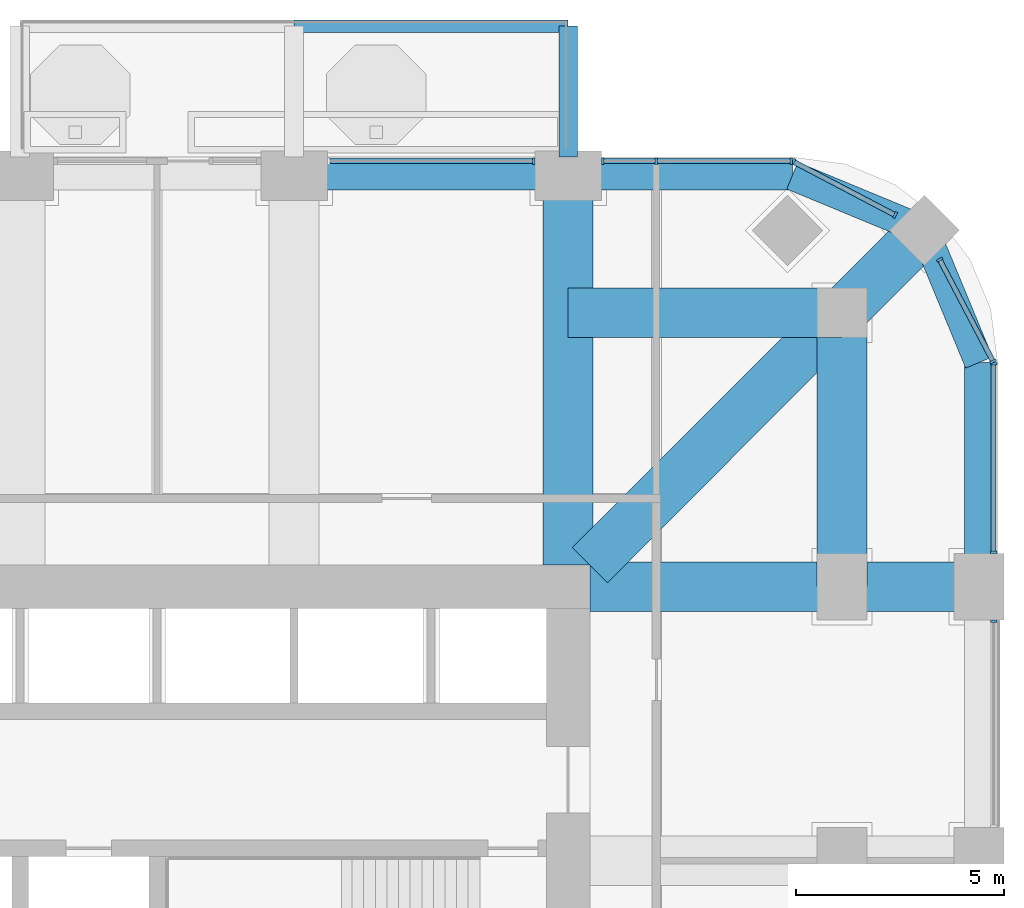
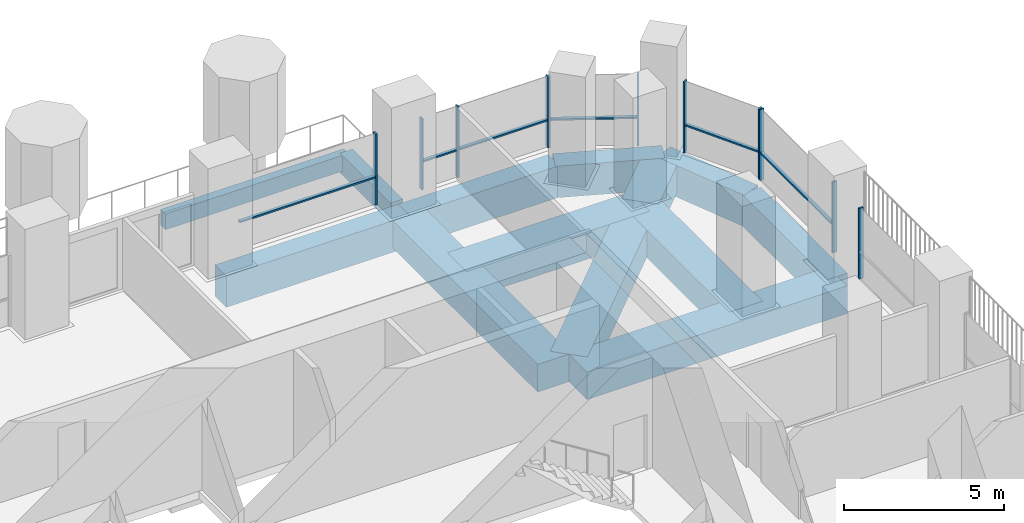
# One storey, part 7 of 19: 17 members, 13 beams, 6 elements without a shape of their own.
"""IFC4 building model written with IfcOpenShell, lengths in metres."""

from ifc_helpers import new_model, si_unit, direction, frame, origin, origin_2d, place, context, subcontext, project, spatial, rectangle, extrude, material, material_profile, profile_set, type_object, element, aggregate, save


model = new_model("IFC4")

# Units and contexts
model_context = context("Model", 3, precision=1e-05, world=origin(), true_north=direction((0.0, 1.0)))
body_context = subcontext(model_context, "Body", "Model", "MODEL_VIEW")
ifc_project = project(units=[si_unit("LENGTHUNIT", "METRE"), si_unit("AREAUNIT", "SQUARE_METRE"), si_unit("VOLUMEUNIT", "CUBIC_METRE"), si_unit("PLANEANGLEUNIT", "RADIAN"), si_unit("MASSUNIT", "GRAM", prefix="KILO")], contexts=[model_context])

# Site, building, storey
site_placement = place(None, origin())
site = spatial("IfcSite", under=ifc_project, at=site_placement, CompositionType="ELEMENT")
building_placement = place(site_placement, origin())
building = spatial("IfcBuilding", under=site, at=building_placement, Name="Cobogo Forest Laboratory Tower", CompositionType="ELEMENT")
storey_placement = place(building_placement, frame((0.0, 0.0, 164.10009765625)))
storey = spatial("IfcBuildingStorey", under=building, at=storey_placement, Name="L37", CompositionType="ELEMENT", Elevation=164.10009765625)

# Beams
ifc_material_1 = material(Name="Concrete HA-40 (C40/50)", Category="concrete")
ifc_material_profile_1 = material_profile(ifc_material_1, rectangle(XDim=0.449951171875, YDim=0.75, at=origin_2d()), Name="RC 450x750")
ifc_profile_set_1 = profile_set([ifc_material_profile_1], Name="Concrete HA-40 (C40/50)")
beam_type_1 = type_object("IfcBeamType", Name="Balcony cantilever beam 450x750", PredefinedType="BEAM", material=ifc_profile_set_1)
beam_1_placement = place(storey_placement, frame((39.60009765625, 43.35009765625, -0.625), z_axis=(0.0, 1.0, 0.0), x_axis=(-1.0, 0.0, 0.0)))
element("IfcBeam", 1, at=beam_1_placement, inside=storey, type_object=beam_type_1, Name="CB1 BAL-N1-C3 L37", PredefinedType="BEAM", context=body_context, shape_type="SweptSolid", body=[
    extrude(rectangle(XDim=0.449951171875, YDim=0.75, at=origin_2d()), origin(), (0.0, 0.0, 1.0), 3.14990234375),
])
ifc_material_profile_2 = material_profile(ifc_material_1, rectangle(XDim=0.300048828125, YDim=0.60009765625, at=origin_2d()), Name="RC 300x600")
ifc_profile_set_2 = profile_set([ifc_material_profile_2], Name="Concrete HA-40 (C40/50)")
beam_type_2 = type_object("IfcBeamType", Name="Balcony edge beam 300x600", PredefinedType="BEAM", material=ifc_profile_set_2)
beam_2_placement = place(storey_placement, frame((33.0, 46.5, -0.550048828125), z_axis=(1.0, 0.0, 0.0), x_axis=(0.0, 1.0, 0.0)))
element("IfcBeam", 2, at=beam_2_placement, inside=storey, type_object=beam_type_2, Name="BB1 BAL-N1-T2 L37", PredefinedType="BEAM", context=body_context, shape_type="SweptSolid", body=[
    extrude(rectangle(XDim=0.300048828125, YDim=0.60009765625, at=origin_2d()), origin(), (0.0, 0.0, 1.0), 6.60009765625),
])
ifc_material_profile_3 = material_profile(ifc_material_1, rectangle(XDim=1.199951171875, YDim=1.050048828125, at=origin_2d()), Name="RC 1200x1050")
ifc_profile_set_3 = profile_set([ifc_material_profile_3], Name="Concrete HA-40 (C40/50)")
beam_type_3 = type_object("IfcBeamType", Name="Laboratory floor wide beam 1200x1050", PredefinedType="BEAM", material=ifc_profile_set_3)
for number, where, z_axis, x_axis, name in (
    (3, (39.60009765625, 33.52490234375, -0.8251953125), (0.0, 1.0, 0.0), (-1.0, 0.0, 0.0), "RB1 R-7-N L37"),
    (4, (40.125, 33.0, -0.8251953125), (1.0, 0.0, 0.0), (0.0, 1.0, 0.0), "RB1 R-F-E L37"),
):
    element("IfcBeam", number, at=place(storey_placement, frame(where, z_axis=z_axis, x_axis=x_axis)), inside=storey, type_object=beam_type_3, Name=name, PredefinedType="BEAM", context=body_context, shape_type="SweptSolid", body=[
        extrude(rectangle(XDim=1.199951171875, YDim=1.050048828125, at=origin_2d()), origin(), (0.0, 0.0, 1.0), 9.375),
    ])
beam_3_placement = place(storey_placement, frame((46.199951171875, 39.60009765625, -0.8251953125), z_axis=(0.0, -1.0, 0.0), x_axis=(1.0, 0.0, 0.0)))
element("IfcBeam", 5, at=beam_3_placement, inside=storey, type_object=beam_type_3, Name="RB1 G-NE-XC L37", PredefinedType="BEAM", context=body_context, shape_type="SweptSolid", body=[
    extrude(rectangle(XDim=1.199951171875, YDim=1.050048828125, at=origin_2d()), origin(), (0.0, 0.0, 1.0), 6.60009765625),
])
beam_4_placement = place(storey_placement, frame((46.199951171875, 39.60009765625, -0.8251953125), z_axis=(-1.0, 0.0, 0.0), x_axis=(0.0, -1.0, 0.0)))
element("IfcBeam", 6, at=beam_4_placement, inside=storey, type_object=beam_type_3, Name="RB1 G-NE-YC L37", PredefinedType="BEAM", context=body_context, shape_type="SweptSolid", body=[
    extrude(rectangle(XDim=1.199951171875, YDim=1.050048828125, at=origin_2d()), origin(), (0.0, 0.0, 1.0), 6.599853515625),
])
beam_5_placement = place(storey_placement, frame((48.181884765625, 41.58203125, -0.8251953125), z_axis=(-0.707106781187, -0.707106781187, 0.0), x_axis=(0.707106781187, -0.707106781187, 0.0)))
element("IfcBeam", 7, at=beam_5_placement, inside=storey, type_object=beam_type_3, Name="RB1 G-NE-D1 L37", PredefinedType="BEAM", context=body_context, shape_type="SweptSolid", body=[
    extrude(rectangle(XDim=1.199951171875, YDim=1.050048828125, at=origin_2d()), origin(), (0.0, 0.0, 1.0), 2.802978515625),
])
beam_6_placement = place(storey_placement, frame((46.199951171875, 39.60009765625, -0.8251953125), z_axis=(-0.707092572697, -0.70712098939, 0.0), x_axis=(0.70712098939, -0.707092572697, 0.0)))
element("IfcBeam", 8, at=beam_6_placement, inside=storey, type_object=beam_type_3, Name="RB1 G-NE-D2 L37", PredefinedType="BEAM", context=body_context, shape_type="SweptSolid", body=[
    extrude(rectangle(XDim=1.199951171875, YDim=1.050048828125, at=origin_2d()), origin(), (0.0, 0.0, 1.0), 8.591552734375),
])

# Curtain wall, member
ifc_material_2 = material(Name="Aluminium curtain wall", Category="aluminium")
curtain_wall_type = type_object("IfcCurtainWallType", Name="CW-2 unitised curtain wall, solar control glazing, laboratory floors zones C and D", PredefinedType="USERDEFINED", material=ifc_material_2)
curtain_wall_1_placement = place(storey_placement, origin())
curtain_wall_1 = element("IfcCurtainWall", 9, at=curtain_wall_1_placement, inside=storey, type_object=curtain_wall_type, Name="Curtain wall 12 L37", ObjectType="UNITISED CURTAIN WALL", PredefinedType="USERDEFINED")
ifc_material_3 = material(Name="Aluminium mullion", Category="aluminium")
ifc_material_profile_4 = material_profile(ifc_material_3, rectangle(XDim=0.06005859375, YDim=0.159912109375, at=origin_2d()), Name="AL 60x160")
ifc_profile_set_4 = profile_set([ifc_material_profile_4], Name="Aluminium mullion")
member_type_1 = type_object("IfcMemberType", Name="MU-1 aluminium mullion 60x160", PredefinedType="MULLION", material=ifc_profile_set_4)
member_1_placement = place(storey_placement, frame((49.85009765625, 32.169921875, 0.0), z_axis=(0.0, 0.0, 1.0), x_axis=(0.0, 1.0, 0.0)))
member_1 = element("IfcMember", 10, at=member_1_placement, type_object=member_type_1, Name="CW-2 mullion 2", PredefinedType="MULLION", context=body_context, shape_type="SweptSolid", body=[
    extrude(rectangle(XDim=0.06005859375, YDim=0.159912109375, at=origin_2d()), origin(), (0.0, 0.0, 1.0), 2.699951171875),
])
aggregate(curtain_wall_1, [member_1])

# Curtain wall, members
curtain_wall_2_placement = place(storey_placement, origin())
curtain_wall_2 = element("IfcCurtainWall", 11, at=curtain_wall_2_placement, inside=storey, type_object=curtain_wall_type, Name="Curtain wall 13 L37", ObjectType="UNITISED CURTAIN WALL", PredefinedType="USERDEFINED")
member_2_placement = place(storey_placement, frame((49.85009765625, 33.830078125, 0.0), z_axis=(0.0, 0.0, 1.0), x_axis=(0.0, 1.0, 0.0)))
member_2 = element("IfcMember", 12, at=member_2_placement, type_object=member_type_1, Name="CW-2 mullion 1", PredefinedType="MULLION", context=body_context, shape_type="SweptSolid", body=[
    extrude(rectangle(XDim=0.06005859375, YDim=0.159912109375, at=origin_2d()), origin(), (0.0, 0.0, 1.0), 2.699951171875),
])
member_3_placement = place(storey_placement, frame((49.85009765625, 38.3701171875, 0.0), z_axis=(0.0, 0.0, 1.0), x_axis=(0.0, 1.0, 0.0)))
member_3 = element("IfcMember", 13, at=member_3_placement, type_object=member_type_1, Name="CW-2 mullion 2", PredefinedType="MULLION", context=body_context, shape_type="SweptSolid", body=[
    extrude(rectangle(XDim=0.06005859375, YDim=0.159912109375, at=origin_2d()), origin(), (0.0, 0.0, 1.0), 2.699951171875),
])

curtain_wall_3_placement = place(storey_placement, origin())
curtain_wall_3 = element("IfcCurtainWall", 14, at=curtain_wall_3_placement, inside=storey, type_object=curtain_wall_type, Name="Curtain wall 14 L37", ObjectType="UNITISED CURTAIN WALL", PredefinedType="USERDEFINED")
member_4_placement = place(storey_placement, frame((49.836181640625, 38.426513671875, 0.0), z_axis=(0.0, 0.0, 1.0), x_axis=(-0.464283818822, 0.885686477022, 0.0)))
member_4 = element("IfcMember", 15, at=member_4_placement, type_object=member_type_1, Name="CW-2 mullion 1", PredefinedType="MULLION", context=body_context, shape_type="SweptSolid", body=[
    extrude(rectangle(XDim=0.06005859375, YDim=0.159912109375, at=origin_2d()), origin(), (0.0, 0.0, 1.0), 2.699951171875),
])
member_5_placement = place(storey_placement, frame((48.551025390625, 40.878173828125, 0.0), z_axis=(0.0, 0.0, 1.0), x_axis=(-0.464283818822, 0.885686477022, 0.0)))
member_5 = element("IfcMember", 16, at=member_5_placement, type_object=member_type_1, Name="CW-2 mullion 2", PredefinedType="MULLION", context=body_context, shape_type="SweptSolid", body=[
    extrude(rectangle(XDim=0.06005859375, YDim=0.159912109375, at=origin_2d()), origin(), (0.0, 0.0, 1.0), 2.699951171875),
])

curtain_wall_4_placement = place(storey_placement, origin())
curtain_wall_4 = element("IfcCurtainWall", 17, at=curtain_wall_4_placement, inside=storey, type_object=curtain_wall_type, Name="Curtain wall 15 L37", ObjectType="UNITISED CURTAIN WALL", PredefinedType="USERDEFINED")
member_6_placement = place(storey_placement, frame((47.47802734375, 41.950927734375, 0.0), z_axis=(0.0, 0.0, 1.0), x_axis=(-0.885686477022, 0.464283818822, 0.0)))
member_6 = element("IfcMember", 18, at=member_6_placement, type_object=member_type_1, Name="CW-2 mullion 1", PredefinedType="MULLION", context=body_context, shape_type="SweptSolid", body=[
    extrude(rectangle(XDim=0.06005859375, YDim=0.159912109375, at=origin_2d()), origin(), (0.0, 0.0, 1.0), 2.699951171875),
])
member_7_placement = place(storey_placement, frame((45.026611328125, 43.236083984375, 0.0), z_axis=(0.0, 0.0, 1.0), x_axis=(-0.885686477022, 0.464283818822, 0.0)))
member_7 = element("IfcMember", 19, at=member_7_placement, type_object=member_type_1, Name="CW-2 mullion 2", PredefinedType="MULLION", context=body_context, shape_type="SweptSolid", body=[
    extrude(rectangle(XDim=0.06005859375, YDim=0.159912109375, at=origin_2d()), origin(), (0.0, 0.0, 1.0), 2.699951171875),
])

curtain_wall_5_placement = place(storey_placement, origin())
curtain_wall_5 = element("IfcCurtainWall", 20, at=curtain_wall_5_placement, inside=storey, type_object=curtain_wall_type, Name="Curtain wall 16 L37", ObjectType="UNITISED CURTAIN WALL", PredefinedType="USERDEFINED")
member_8_placement = place(storey_placement, frame((44.969970703125, 43.25, 0.0), z_axis=(0.0, 0.0, 1.0), x_axis=(-1.0, 0.0, 0.0)))
member_8 = element("IfcMember", 21, at=member_8_placement, type_object=member_type_1, Name="CW-2 mullion 1", PredefinedType="MULLION", context=body_context, shape_type="SweptSolid", body=[
    extrude(rectangle(XDim=0.06005859375, YDim=0.159912109375, at=origin_2d()), origin(), (0.0, 0.0, 1.0), 2.699951171875),
])
member_9_placement = place(storey_placement, frame((41.72509765625, 43.25, 0.0), z_axis=(0.0, 0.0, 1.0), x_axis=(-1.0, 0.0, 0.0)))
member_9 = element("IfcMember", 22, at=member_9_placement, type_object=member_type_1, Name="CW-2 mullion 2", PredefinedType="MULLION", context=body_context, shape_type="SweptSolid", body=[
    extrude(rectangle(XDim=0.06005859375, YDim=0.159912109375, at=origin_2d()), origin(), (0.0, 0.0, 1.0), 2.699951171875),
])
member_10_placement = place(storey_placement, frame((40.429931640625, 43.25, 0.0), z_axis=(0.0, 0.0, 1.0), x_axis=(-1.0, 0.0, 0.0)))
member_10 = element("IfcMember", 23, at=member_10_placement, type_object=member_type_1, Name="CW-2 mullion 3", PredefinedType="MULLION", context=body_context, shape_type="SweptSolid", body=[
    extrude(rectangle(XDim=0.06005859375, YDim=0.159912109375, at=origin_2d()), origin(), (0.0, 0.0, 1.0), 2.699951171875),
])

# Curtain wall, member
curtain_wall_6_placement = place(storey_placement, origin())
curtain_wall_6 = element("IfcCurtainWall", 24, at=curtain_wall_6_placement, inside=storey, type_object=curtain_wall_type, Name="Curtain wall 17 L37", ObjectType="UNITISED CURTAIN WALL", PredefinedType="USERDEFINED")
member_11_placement = place(storey_placement, frame((38.77001953125, 43.25, 0.0), z_axis=(0.0, 0.0, 1.0), x_axis=(-1.0, 0.0, 0.0)))
member_11 = element("IfcMember", 25, at=member_11_placement, type_object=member_type_1, Name="CW-2 mullion 1", PredefinedType="MULLION", context=body_context, shape_type="SweptSolid", body=[
    extrude(rectangle(XDim=0.06005859375, YDim=0.159912109375, at=origin_2d()), origin(), (0.0, 0.0, 1.0), 2.699951171875),
])

# Beams
ifc_material_profile_5 = material_profile(ifc_material_1, rectangle(XDim=0.699951171875, YDim=1.199951171875, at=origin_2d()), Name="RC 700x1200")
ifc_profile_set_5 = profile_set([ifc_material_profile_5], Name="Concrete HA-40 (C40/50)")
beam_type_4 = type_object("IfcBeamType", Name="Perimeter edge beam 700x1200", PredefinedType="BEAM", material=ifc_profile_set_5)
beam_7_placement = place(storey_placement, frame((33.0, 42.89990234375, -0.900146484375), z_axis=(1.0, 0.0, 0.0), x_axis=(0.0, 1.0, 0.0)))
element("IfcBeam", 26, at=beam_7_placement, inside=storey, type_object=beam_type_4, Name="EB1 E-N4 L37", PredefinedType="BEAM", context=body_context, shape_type="SweptSolid", body=[
    extrude(rectangle(XDim=0.699951171875, YDim=1.199951171875, at=origin_2d()), origin(), (0.0, 0.0, 1.0), 6.60009765625),
])
beam_8_placement = place(storey_placement, frame((49.5, 33.0, -0.900146484375), z_axis=(0.0, 1.0, 0.0), x_axis=(-1.0, 0.0, 0.0)))
element("IfcBeam", 27, at=beam_8_placement, inside=storey, type_object=beam_type_4, Name="EB1 E-NEE1 L37", PredefinedType="BEAM", context=body_context, shape_type="SweptSolid", body=[
    extrude(rectangle(XDim=0.699951171875, YDim=1.199951171875, at=origin_2d()), origin(), (0.0, 0.0, 1.0), 5.39990234375),
])
beam_9_placement = place(storey_placement, frame((49.5, 38.39990234375, -0.900146484375), z_axis=(-0.382691928466, 0.923876013265, 0.0), x_axis=(-0.923876013265, -0.382691928466, 0.0)))
element("IfcBeam", 28, at=beam_9_placement, inside=storey, type_object=beam_type_4, Name="EB1 E-NEE2 L37", PredefinedType="BEAM", context=body_context, shape_type="SweptSolid", body=[
    extrude(rectangle(XDim=0.699951171875, YDim=1.199951171875, at=origin_2d()), origin(), (0.0, 0.0, 1.0), 3.4443359375),
])
beam_10_placement = place(storey_placement, frame((39.60009765625, 42.89990234375, -0.900146484375), z_axis=(1.0, 0.0, 0.0), x_axis=(0.0, 1.0, 0.0)))
element("IfcBeam", 29, at=beam_10_placement, inside=storey, type_object=beam_type_4, Name="EB1 E-NEN1 L37", PredefinedType="BEAM", context=body_context, shape_type="SweptSolid", body=[
    extrude(rectangle(XDim=0.699951171875, YDim=1.199951171875, at=origin_2d()), origin(), (0.0, 0.0, 1.0), 5.39990234375),
])
beam_11_placement = place(storey_placement, frame((45.0, 42.89990234375, -0.900146484375), z_axis=(0.923890694089, -0.382656484822, 0.0), x_axis=(0.382656484822, 0.923890694089, 0.0)))
element("IfcBeam", 30, at=beam_11_placement, inside=storey, type_object=beam_type_4, Name="EB1 E-NEN2 L37", PredefinedType="BEAM", context=body_context, shape_type="SweptSolid", body=[
    extrude(rectangle(XDim=0.699951171875, YDim=1.199951171875, at=origin_2d()), origin(), (0.0, 0.0, 1.0), 3.444091796875),
])

# Member
ifc_material_4 = material(Name="Aluminium transom", Category="aluminium")
ifc_material_profile_6 = material_profile(ifc_material_4, rectangle(XDim=0.1201171875, YDim=0.06005859375, at=origin_2d()), Name="AL 60x120")
ifc_profile_set_6 = profile_set([ifc_material_profile_6], Name="Aluminium transom")
member_type_2 = type_object("IfcMemberType", Name="TR-1 aluminium transom 60x120", PredefinedType="USERDEFINED", material=ifc_profile_set_6)
member_12_placement = place(storey_placement, frame((49.85009765625, 33.860107421875, 1.0498046875), z_axis=(0.0, 1.0, 0.0), x_axis=(-1.0, 0.0, 0.0)))
member_12 = element("IfcMember", 31, at=member_12_placement, type_object=member_type_2, Name="CW-2 transom 1.1", ObjectType="TRANSOM", PredefinedType="USERDEFINED", context=body_context, shape_type="SweptSolid", body=[
    extrude(rectangle(XDim=0.1201171875, YDim=0.06005859375, at=origin_2d()), origin(), (0.0, 0.0, 1.0), 4.47998046875),
])

aggregate(curtain_wall_2, [member_2, member_3, member_12])

member_13_placement = place(storey_placement, frame((49.822021484375, 38.453125, 1.0498046875), z_axis=(-0.464225959694, 0.885716804823, 0.0), x_axis=(-0.885716804823, -0.464225959694, 0.0)))
member_13 = element("IfcMember", 32, at=member_13_placement, type_object=member_type_2, Name="CW-2 transom 1.1", ObjectType="TRANSOM", PredefinedType="USERDEFINED", context=body_context, shape_type="SweptSolid", body=[
    extrude(rectangle(XDim=0.1201171875, YDim=0.06005859375, at=origin_2d()), origin(), (0.0, 0.0, 1.0), 2.7080078125),
])

aggregate(curtain_wall_3, [member_4, member_5, member_13])

member_14_placement = place(storey_placement, frame((47.451416015625, 41.96484375, 1.0498046875), z_axis=(-0.885660295744, 0.464333759857, 0.0), x_axis=(-0.464333759857, -0.885660295744, 0.0)))
member_14 = element("IfcMember", 33, at=member_14_placement, type_object=member_type_2, Name="CW-2 transom 1.1", ObjectType="TRANSOM", PredefinedType="USERDEFINED", context=body_context, shape_type="SweptSolid", body=[
    extrude(rectangle(XDim=0.1201171875, YDim=0.06005859375, at=origin_2d()), origin(), (0.0, 0.0, 1.0), 2.707763671875),
])

aggregate(curtain_wall_4, [member_6, member_7, member_14])

member_15_placement = place(storey_placement, frame((44.93994140625, 43.25, 1.0498046875), z_axis=(-1.0, 0.0, 0.0), x_axis=(0.0, -1.0, 0.0)))
member_15 = element("IfcMember", 34, at=member_15_placement, type_object=member_type_2, Name="CW-2 transom 1.1", ObjectType="TRANSOM", PredefinedType="USERDEFINED", context=body_context, shape_type="SweptSolid", body=[
    extrude(rectangle(XDim=0.1201171875, YDim=0.06005859375, at=origin_2d()), origin(), (0.0, 0.0, 1.0), 3.18505859375),
])

member_16_placement = place(storey_placement, frame((41.695068359375, 43.25, 1.0498046875), z_axis=(-1.0, 0.0, 0.0), x_axis=(0.0, -1.0, 0.0)))
member_16 = element("IfcMember", 35, at=member_16_placement, type_object=member_type_2, Name="CW-2 transom 2.1", ObjectType="TRANSOM", PredefinedType="USERDEFINED", context=body_context, shape_type="SweptSolid", body=[
    extrude(rectangle(XDim=0.1201171875, YDim=0.06005859375, at=origin_2d()), origin(), (0.0, 0.0, 1.0), 1.235107421875),
])

aggregate(curtain_wall_5, [member_8, member_9, member_10, member_15, member_16])

member_17_placement = place(storey_placement, frame((38.739990234375, 43.25, 1.0498046875), z_axis=(-1.0, 0.0, 0.0), x_axis=(0.0, -1.0, 0.0)))
member_17 = element("IfcMember", 36, at=member_17_placement, type_object=member_type_2, Name="CW-2 transom 1.1", ObjectType="TRANSOM", PredefinedType="USERDEFINED", context=body_context, shape_type="SweptSolid", body=[
    extrude(rectangle(XDim=0.1201171875, YDim=0.06005859375, at=origin_2d()), origin(), (0.0, 0.0, 1.0), 4.8798828125),
])

aggregate(curtain_wall_6, [member_11, member_17])

save(model, "model.ifc")
